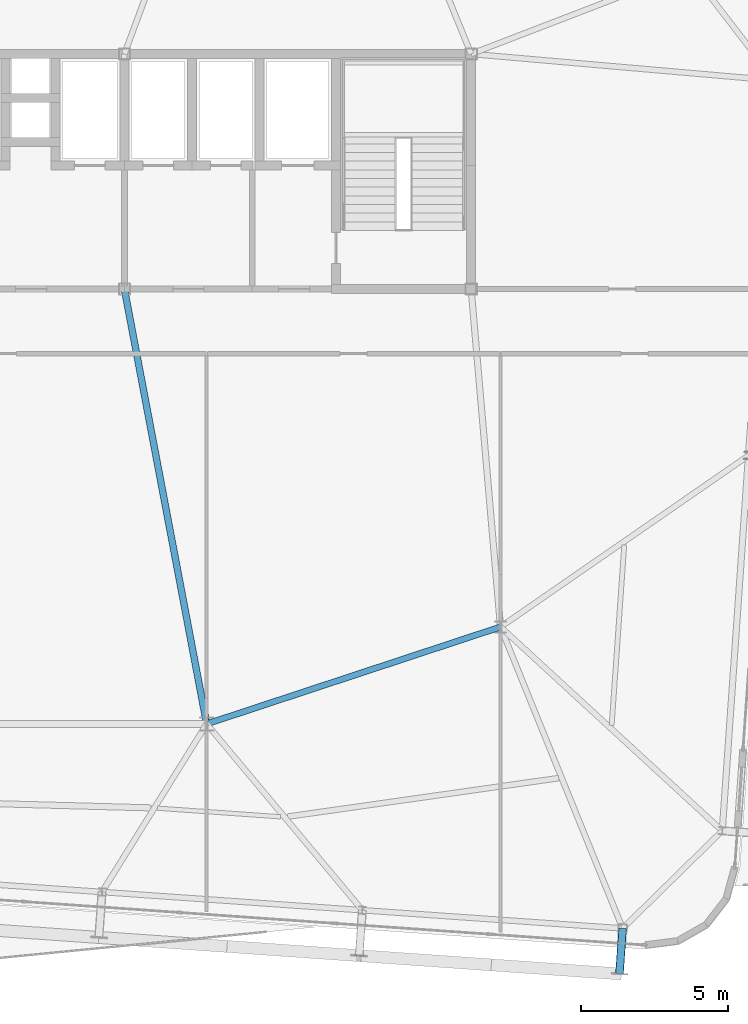
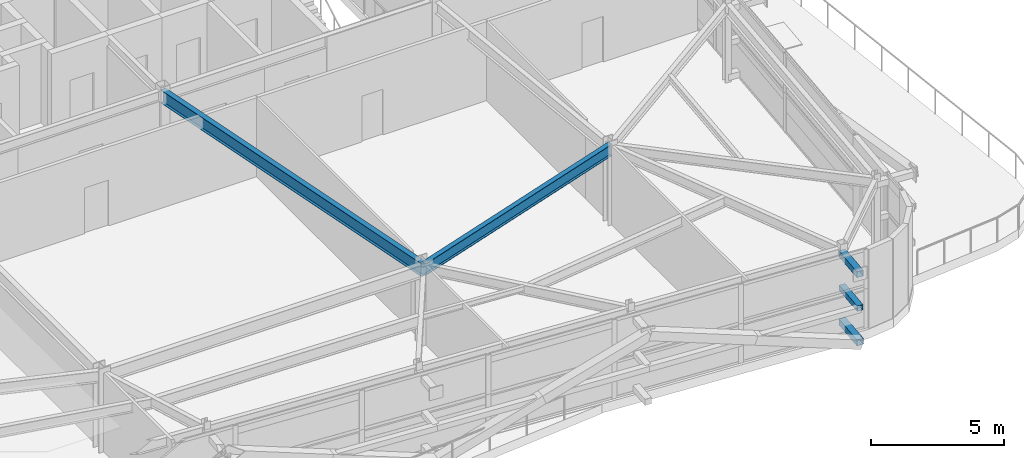
# One storey, part 15 of 36: 3 members, 2 beams.
"""IFC4 building model written with IfcOpenShell, lengths in metres."""

from ifc_helpers import new_model, si_unit, direction, frame, origin, origin_2d, place, context, subcontext, project, spatial, hollow_rectangle, i_section, extrude, source, transform, mapped, material, material_profile, profile_set, type_object, element, save


model = new_model("IFC4")

# Units and contexts
model_context = context("Model", 3, precision=1e-05, world=origin(), true_north=direction((0.0, 1.0)))
body_context = subcontext(model_context, "Body", "Model", "MODEL_VIEW")
ifc_project = project(units=[si_unit("LENGTHUNIT", "METRE"), si_unit("AREAUNIT", "SQUARE_METRE"), si_unit("VOLUMEUNIT", "CUBIC_METRE"), si_unit("PLANEANGLEUNIT", "RADIAN"), si_unit("MASSUNIT", "GRAM", prefix="KILO")], contexts=[model_context])

# Site, building, storey
site_placement = place(None, origin())
site = spatial("IfcSite", under=ifc_project, at=site_placement, CompositionType="ELEMENT")
building_placement = place(site_placement, origin())
building = spatial("IfcBuilding", under=site, at=building_placement, Name="Taldren Reach Tower", CompositionType="ELEMENT")
storey_placement = place(building_placement, frame((0.0, 0.0, 116.550048828125)))
storey = spatial("IfcBuildingStorey", under=building, at=storey_placement, Name="L35", CompositionType="ELEMENT", Elevation=116.550048828125)

# Beams
ifc_material_1 = material(Name="Steel Gr 350 (350PLUS)", Category="steel")
ifc_material_profile_1 = material_profile(ifc_material_1, i_section(OverallWidth=0.208984375, OverallDepth=0.532958984375, WebThickness=0.01025390625, FlangeThickness=0.015625, at=origin_2d()), Name="530UB92.4")
ifc_profile_set_1 = profile_set([ifc_material_profile_1], Name="Steel Gr 350 (350PLUS)")
beam_type_1 = type_object("IfcBeamType", Name="BM-UB530A", PredefinedType="BEAM", material=ifc_profile_set_1)
shared_shape_1 = source(origin(), body_context, "Body", "SweptSolid", [
    extrude(i_section(OverallWidth=0.208984375, OverallDepth=0.532958984375, WebThickness=0.01025390625, FlangeThickness=0.015625, at=origin_2d()), origin(), (0.0, 0.0, 1.0), 10.530517578125),
])
beam_1_placement = place(storey_placement, frame((42.0, 9.199951171875, 3.363525390625), z_axis=(0.949627269203, 0.313381635689, 0.0), x_axis=(-0.313381635689, 0.949627269203, 0.0)))
element("IfcBeam", 1, at=beam_1_placement, inside=storey, type_object=beam_type_1, Name="Core-spine girder L35-SP12", PredefinedType="BEAM", context=body_context, shape_type="MappedRepresentation", body=[
    mapped(shared_shape_1, transform((0.0, 0.0, 0.0), scale=1.0)),
])
ifc_material_profile_2 = material_profile(ifc_material_1, i_section(OverallWidth=0.22802734375, OverallDepth=0.60205078125, WebThickness=0.010498046875, FlangeThickness=0.014892578125, at=origin_2d()), Name="610UB101")
ifc_profile_set_2 = profile_set([ifc_material_profile_2], Name="Steel Gr 350 (350PLUS)")
beam_type_2 = type_object("IfcBeamType", Name="BM-UB610B", PredefinedType="BEAM", material=ifc_profile_set_2)
shared_shape_2 = source(origin(), body_context, "Body", "SweptSolid", [
    extrude(i_section(OverallWidth=0.22802734375, OverallDepth=0.60205078125, WebThickness=0.010498046875, FlangeThickness=0.014892578125, at=origin_2d()), origin(), (0.0, 0.0, 1.0), 15.0625),
])
beam_2_placement = place(storey_placement, frame((39.199951171875, 24.0, 3.328857421875), z_axis=(0.185894205668, -0.982569765614, 0.0), x_axis=(0.982569765614, 0.185894205668, 0.0)))
element("IfcBeam", 2, at=beam_2_placement, inside=storey, type_object=beam_type_2, Name="Core-spine girder L35-SP15", PredefinedType="BEAM", context=body_context, shape_type="MappedRepresentation", body=[
    mapped(shared_shape_2, transform((0.0, 0.0, 0.0), scale=1.0)),
])

# Members
ifc_material_2 = material(Name="Steel Gr 450 (C450L0)", Category="steel")
ifc_material_profile_3 = material_profile(ifc_material_2, hollow_rectangle(XDim=0.27490234375, YDim=0.27490234375, WallThickness=0.00927734375, at=origin_2d()), Name="275x275x9.3SHS")
ifc_profile_set_3 = profile_set([ifc_material_profile_3], Name="Steel Gr 450 (C450L0)")
member_type_1 = type_object("IfcMemberType", Name="MB-TIE273", PredefinedType="STRUT", material=ifc_profile_set_3)
shared_shape_3 = source(origin(), body_context, "Body", "SweptSolid", [
    extrude(hollow_rectangle(XDim=0.27490234375, YDim=0.27490234375, WallThickness=0.00927734375, at=origin_2d()), origin(), (0.0, 0.0, 1.0), 1.5498046875),
])
for number, where, z_axis, x_axis, name in (
    (3, (56.155517578125, 2.2412109375, 3.349853515625), (-0.069780535098, -0.997562367434, 0.0), (0.997562367434, -0.069780535098, 0.0), "Exoskeleton diaphragm tie strut B3-S6 L35"),
    (4, (56.155517578125, 2.2412109375, 0.219970703125), (-0.069780535098, -0.997562367434, 0.0), (0.997562367434, -0.069780535098, 0.0), "Exoskeleton base diaphragm tie strut B3-S6 L35"),
):
    element("IfcMember", number, at=place(storey_placement, frame(where, z_axis=z_axis, x_axis=x_axis)), inside=storey, type_object=member_type_1, Name=name, PredefinedType="STRUT", context=body_context, shape_type="MappedRepresentation", body=[
        mapped(shared_shape_3, transform((0.0, 0.0, 0.0), scale=1.0)),
    ])
ifc_material_3 = material(Name="Steel Gr 350 (C350L0)", Category="steel")
ifc_material_profile_4 = material_profile(ifc_material_3, hollow_rectangle(XDim=0.25, YDim=0.25, WallThickness=0.010009765625, at=origin_2d()), Name="250x250x10.0SHS")
ifc_profile_set_4 = profile_set([ifc_material_profile_4], Name="Steel Gr 350 (C350L0)")
member_type_2 = type_object("IfcMemberType", Name="MB-POST250", PredefinedType="POST", material=ifc_profile_set_4)
shared_shape_4 = source(origin(), body_context, "Body", "SweptSolid", [
    extrude(hollow_rectangle(XDim=0.25, YDim=0.25, WallThickness=0.010009765625, at=origin_2d()), origin(), (0.0, 0.0, 1.0), 1.5498046875),
])
member_placement = place(storey_placement, frame((56.155517578125, 2.2412109375, 1.784912109375), z_axis=(-0.069780535098, -0.997562367434, 0.0), x_axis=(0.997562367434, -0.069780535098, 0.0)))
element("IfcMember", 5, at=member_placement, inside=storey, type_object=member_type_2, Name="Exoskeleton mid-tier diaphragm tie B3-S6 L35", PredefinedType="POST", context=body_context, shape_type="MappedRepresentation", body=[
    mapped(shared_shape_4, transform((0.0, 0.0, 0.0), scale=1.0)),
])

save(model, "model.ifc")
